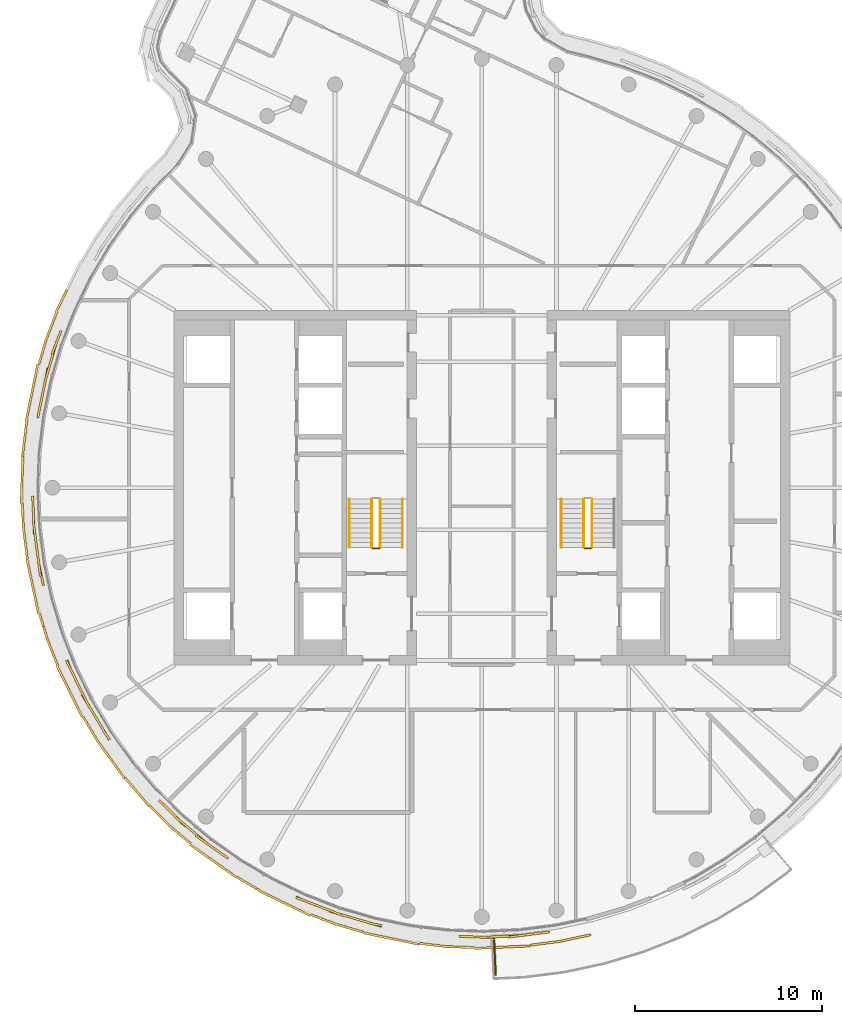
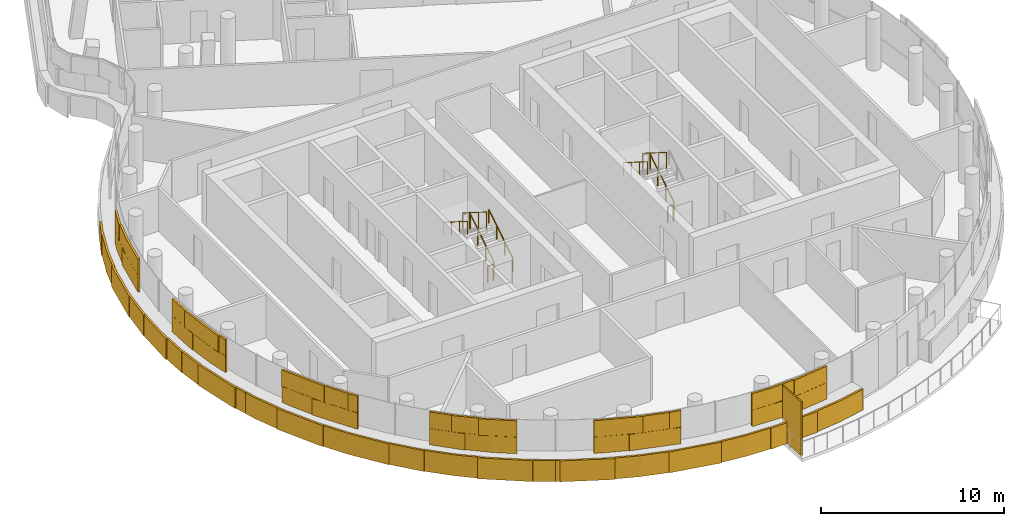
# One storey, part 17 of 21: 9 railings, 6 coverings, 1 shading device.
"""IFC4 building model written with IfcOpenShell, lengths in metres."""

import ifcopenshell
import ifcopenshell.guid

model = None  # the IFC model being written
_history = None  # IfcOwnerHistory: only IFC2X3 demands one
_inside = {}  # id of a spatial element -> (the spatial element, [elements in it])
_under = {}  # id of a project, library or spatial element -> (it, [spatial elements below it])
_declared = {}  # id of a project -> (the project, [libraries it declares])
_typed = {}  # id of a type object -> (the type object, [elements of that type])
_made_of = {}  # id of a material, layer set ... -> (it, [elements and type objects made of it])


def new_model(schema):
    """Start an empty IFC model of exactly this schema.

    Asked for "IFC4X3", IfcOpenShell would pick the latest addendum, in which some entities
    have other attributes; the version numbers below select the first issue.
    IFC2X3 requires an IfcOwnerHistory on every rooted entity: one is made here for all.
    """
    global model, _history
    if schema == "IFC4X3":
        model = ifcopenshell.file(schema_version=(4, 3, 0, 0))
    else:
        model = ifcopenshell.file(schema=schema)
    _inside.clear()
    _under.clear()
    _declared.clear()
    _typed.clear()
    _made_of.clear()
    _history = None
    if model.schema == "IFC2X3":
        org = make("IfcOrganization", Name="unknown")
        user = make(
            "IfcPersonAndOrganization",
            ThePerson=make("IfcPerson", FamilyName="unknown"),
            TheOrganization=org,
        )
        app = make(
            "IfcApplication",
            ApplicationDeveloper=org,
            Version="unknown",
            ApplicationFullName="unknown",
            ApplicationIdentifier="unknown",
        )
        _history = make(
            "IfcOwnerHistory",
            OwningUser=user,
            OwningApplication=app,
            ChangeAction="ADDED",
            CreationDate=0,
        )
    return model


def make(cls, **values):
    """One entity of the class cls with the attributes given. An attribute that is None is left unset."""
    return model.create_entity(
        cls, **{name: value for name, value in values.items() if value is not None}
    )


def rooted(cls, **values):
    """An entity with a GlobalId (a new one), such as an element, a storey or a relation."""
    return make(cls, GlobalId=ifcopenshell.guid.new(), OwnerHistory=_history, **values)


def si_unit(unit_type, name, prefix=None):
    """IfcSIUnit, for example si_unit("LENGTHUNIT", "METRE", prefix="MILLI")."""
    return make("IfcSIUnit", UnitType=unit_type, Prefix=prefix, Name=name)


def assignment(units):
    """IfcUnitAssignment: the units of a project."""
    return None if units is None else make("IfcUnitAssignment", Units=units)


def point(xyz):
    """IfcCartesianPoint."""
    return None if xyz is None else make("IfcCartesianPoint", Coordinates=xyz)


def direction(xyz):
    """IfcDirection."""
    return None if xyz is None else make("IfcDirection", DirectionRatios=xyz)


def frame(location, z_axis=None, x_axis=None):
    """IfcAxis2Placement3D, a coordinate frame: its origin and axes. An axis left out is left unset."""
    return make(
        "IfcAxis2Placement3D",
        Location=point(location),
        Axis=direction(z_axis),
        RefDirection=direction(x_axis),
    )


def frame_2d(location, x_axis=None):
    """IfcAxis2Placement2D, a coordinate frame in the plane: its origin and x axis."""
    return make(
        "IfcAxis2Placement2D", Location=point(location), RefDirection=direction(x_axis)
    )


def origin():
    """The frame at (0, 0, 0) with its axes left unset."""
    return frame((0.0, 0.0, 0.0))


def origin_2d():
    """The frame at (0, 0) in the plane with its x axis left unset."""
    return frame_2d((0.0, 0.0))


def place(relative_to, where):
    """IfcLocalPlacement: puts the frame where relative to a parent placement (None: the world)."""
    return make(
        "IfcLocalPlacement", PlacementRelTo=relative_to, RelativePlacement=where
    )


def context(
    kind, dimensions, precision=None, world=None, true_north=None, identifier=None
):
    """IfcGeometricRepresentationContext, for example the 3D "Model" context."""
    return make(
        "IfcGeometricRepresentationContext",
        ContextIdentifier=identifier,
        ContextType=kind,
        CoordinateSpaceDimension=dimensions,
        Precision=precision,
        WorldCoordinateSystem=world,
        TrueNorth=true_north,
    )


def subcontext(parent, identifier, kind, view, scale=None):
    """IfcGeometricRepresentationSubContext, for example "Body" below "Model"."""
    return make(
        "IfcGeometricRepresentationSubContext",
        ContextIdentifier=identifier,
        ContextType=kind,
        ParentContext=parent,
        TargetScale=scale,
        TargetView=view,
    )


def project(units=None, contexts=None):
    """IfcProject with its units and contexts."""
    return rooted(
        "IfcProject",
        Name="project",
        RepresentationContexts=contexts,
        UnitsInContext=assignment(units),
    )


def spatial(cls, under=None, at=None, **own):
    """A site, building, storey or space (cls), placed at a placement, below another one or the project."""
    s = rooted(cls, ObjectPlacement=at, **own)
    if under is not None:
        _under.setdefault(under.id(), (under, []))[1].append(s)
    return s


def profile(cls, at=None, kind="AREA", **sizes):
    """A parametric profile (cls). Its sizes go by their IFC names, for example OverallWidth=200.0."""
    return make(cls, ProfileType=kind, Position=at, **sizes)


def rectangle(**sizes):
    """IfcRectangleProfileDef."""
    return profile("IfcRectangleProfileDef", **sizes)


def circle(**sizes):
    """IfcCircleProfileDef."""
    return profile("IfcCircleProfileDef", **sizes)


def extrude(swept, where, along, depth):
    """IfcExtrudedAreaSolid: the profile swept, set in the frame where, extruded along a direction by depth."""
    return make(
        "IfcExtrudedAreaSolid",
        SweptArea=swept,
        Position=where,
        ExtrudedDirection=direction(along),
        Depth=depth,
    )


def shape(context_of_items, identifier, shape_type, items):
    """IfcShapeRepresentation: the items that make up one representation, for example the "Body"."""
    return make(
        "IfcShapeRepresentation",
        ContextOfItems=context_of_items,
        RepresentationIdentifier=identifier,
        RepresentationType=shape_type,
        Items=items,
    )


def material(Name=None, Category=None):
    """IfcMaterial."""
    return make("IfcMaterial", Name=Name, Category=Category)


def layer(
    of_material, thickness, ventilated=None, Name=None, Category=None, Priority=None
):
    """IfcMaterialLayer: one layer of a wall or slab, of a material (None: an air gap)."""
    return make(
        "IfcMaterialLayer",
        Material=of_material,
        LayerThickness=thickness,
        IsVentilated=ventilated,
        Name=Name,
        Category=Category,
        Priority=Priority,
    )


def layer_set(layers, Name=None):
    """IfcMaterialLayerSet."""
    return make("IfcMaterialLayerSet", MaterialLayers=layers, LayerSetName=Name)


def made_of(thing, what):
    """Note that an element or type object is made of a material, layer set ...; save() writes the relation."""
    if what is not None:
        _made_of.setdefault(what.id(), (what, []))[1].append(thing)
    return thing


def type_object(cls, material=None, **own):
    """A type object (cls), such as IfcWallType, which elements share."""
    return made_of(rooted(cls, **own), material)


def element(
    cls,
    number,
    at=None,
    inside=None,
    cuts=None,
    type_object=None,
    material=None,
    context=None,
    identifier="Body",
    shape_type=None,
    held_by="IfcProductDefinitionShape",
    body=None,
    shapes=None,
    **own,
):
    """One element of the class cls, such as IfcWall. Its Tag is "e" and its number.

    at: its placement. inside: the storey or other place that contains it. cuts: it is an
    opening in that element (IfcRelVoidsElement). A single representation is given by context,
    identifier, shape_type and body (its items); several are given by shapes. held_by: the class
    of the entity that holds the representations. save() writes the other relations.
    """
    e = rooted(cls, Tag="e%d" % number, ObjectPlacement=at, **own)
    if body is not None:
        shapes = [shape(context, identifier, shape_type, body)]
    if shapes is not None:
        e.Representation = make(held_by, Representations=shapes)
    if inside is not None:
        _inside.setdefault(inside.id(), (inside, []))[1].append(e)
    if cuts is not None:
        rooted(
            "IfcRelVoidsElement", RelatingBuildingElement=cuts, RelatedOpeningElement=e
        )
    if type_object is not None:
        _typed.setdefault(type_object.id(), (type_object, []))[1].append(e)
    return made_of(e, material)


def aggregate(whole, parts):
    """IfcRelAggregates: a whole, such as a stair, and the parts it consists of."""
    return rooted("IfcRelAggregates", RelatingObject=whole, RelatedObjects=parts)


def save(model, path):
    """Write the relations noted so far, then the file.

    IfcRelAggregates (storeys below a building ...), IfcRelContainedInSpatialStructure (elements
    in a storey), IfcRelDefinesByType, IfcRelAssociatesMaterial and IfcRelDeclares: one each for
    every whole, place, type object, material and project.
    """
    for whole, parts in _under.values():
        aggregate(whole, parts)
    for where, things in _inside.values():
        rooted(
            "IfcRelContainedInSpatialStructure",
            RelatedElements=things,
            RelatingStructure=where,
        )
    for kind, things in _typed.values():
        rooted("IfcRelDefinesByType", RelatedObjects=things, RelatingType=kind)
    for what, things in _made_of.values():
        rooted("IfcRelAssociatesMaterial", RelatedObjects=things, RelatingMaterial=what)
    for by, libraries in _declared.values():
        rooted("IfcRelDeclares", RelatingContext=by, RelatedDefinitions=libraries)
    model.write(path)


model = new_model("IFC4")

# Units and contexts
model_context = context("Model", 3, precision=1e-05, world=origin(), true_north=direction((0.0, 1.0)))
body_context = subcontext(model_context, "Body", "Model", "MODEL_VIEW")
ifc_project = project(units=[si_unit("LENGTHUNIT", "METRE"), si_unit("AREAUNIT", "SQUARE_METRE"), si_unit("VOLUMEUNIT", "CUBIC_METRE"), si_unit("PLANEANGLEUNIT", "RADIAN"), si_unit("MASSUNIT", "GRAM", prefix="KILO")], contexts=[model_context])

# Site, building, storey
site_placement = place(None, origin())
site = spatial("IfcSite", under=ifc_project, at=site_placement, CompositionType="ELEMENT")
building_placement = place(site_placement, origin())
building = spatial("IfcBuilding", under=site, at=building_placement, Name="Tamarind Cross Interchange Tower", CompositionType="ELEMENT")
storey_placement = place(building_placement, frame((0.0, 0.0, 267.60009765625)))
storey = spatial("IfcBuildingStorey", under=building, at=storey_placement, Name="L68", CompositionType="ELEMENT", Elevation=267.60009765625)

# Shading device
ifc_material_1 = material(Name="Bronze-finish aluminium louvre", Category="aluminium")
ifc_layer_1 = layer(ifc_material_1, 0.080078125)
ifc_layer_set_1 = layer_set([ifc_layer_1], Name="Bronze-finish aluminium louvre")
shading_device_type = type_object("IfcShadingDeviceType", Name="Operable louvre bay", PredefinedType="JALOUSIE", material=ifc_layer_set_1)
shading_device_placement = place(storey_placement, origin())
element("IfcShadingDevice", 1, at=shading_device_placement, inside=storey, type_object=shading_device_type, Name="LVR-L68-BAL01", PredefinedType="JALOUSIE", context=body_context, shape_type="SweptSolid", body=[
    extrude(rectangle(XDim=1.89990234375, YDim=0.080078125, at=origin_2d()), frame((0.69921875, -25.169677734375, -0.000244140625), z_axis=(0.0, 0.0, 1.0), x_axis=(0.045624486728, -0.998958660912, 0.0)), (0.0, 0.0, 1.0), 3.60009765625),
])

# Railings
ifc_material_2 = material(Name="Stair guard")
railing_type_1 = type_object("IfcRailingType", Name="Stair guard", PredefinedType="GUARDRAIL", material=ifc_material_2)
railing_1_placement = place(storey_placement, frame((-5.449951171875, -3.199951171875, 0.16357421875)))
element("IfcRailing", 2, at=railing_1_placement, inside=storey, type_object=railing_type_1, Name="L68 ST1 stair guard 1", PredefinedType="GUARDRAIL", context=body_context, shape_type="SweptSolid", body=[
    extrude(circle(Radius=0.02392578125, at=origin_2d()), frame((0.0, 0.0, 1.076171875), z_axis=(0.0, 0.846337672412, 0.532646734952), x_axis=(-1.0, 0.0, 0.0)), (0.0, 0.0, 1.0), 3.07177734375),
    extrude(circle(Radius=0.02099609375, at=origin_2d()), origin(), (0.0, 0.0, 1.0), 1.052001953125),
    extrude(circle(Radius=0.02099609375, at=origin_2d()), frame((0.0, 0.86669921875, 0.54541015625)), (0.0, 0.0, 1.0), 1.052001953125),
    extrude(circle(Radius=0.02099609375, at=origin_2d()), frame((0.0, 1.733154296875, 1.0908203125)), (0.0, 0.0, 1.0), 1.052001953125),
    extrude(circle(Radius=0.02099609375, at=origin_2d()), frame((0.0, 2.599853515625, 1.63623046875)), (0.0, 0.0, 1.0), 1.052001953125),
])
railing_2_placement = place(storey_placement, frame((-5.89990234375, -0.60009765625, 1.963623046875)))
element("IfcRailing", 3, at=railing_2_placement, inside=storey, type_object=railing_type_1, Name="L68 ST1 stair guard 3", PredefinedType="GUARDRAIL", context=body_context, shape_type="SweptSolid", body=[
    extrude(circle(Radius=0.02392578125, at=origin_2d()), frame((0.0, 0.0, 1.076171875), z_axis=(0.0, -0.846337672412, 0.532646734952), x_axis=(1.0, 0.0, 0.0)), (0.0, 0.0, 1.0), 3.07177734375),
    extrude(circle(Radius=0.02099609375, at=origin_2d()), origin(), (0.0, 0.0, 1.0), 1.052001953125),
    extrude(circle(Radius=0.02099609375, at=origin_2d()), frame((0.0, -0.86669921875, 0.54541015625)), (0.0, 0.0, 1.0), 1.052001953125),
    extrude(circle(Radius=0.02099609375, at=origin_2d()), frame((0.0, -1.733154296875, 1.0908203125)), (0.0, 0.0, 1.0), 1.052001953125),
    extrude(circle(Radius=0.02099609375, at=origin_2d()), frame((0.0, -2.599853515625, 1.63623046875)), (0.0, 0.0, 1.0), 1.052001953125),
])
railing_3_placement = place(storey_placement, frame((-5.5, -3.25, 0.0)))
element("IfcRailing", 4, at=railing_3_placement, inside=storey, type_object=railing_type_1, Name="L68 ST1 stair guard 4", PredefinedType="GUARDRAIL", context=body_context, shape_type="SweptSolid", body=[
    extrude(circle(Radius=0.02392578125, at=origin_2d()), frame((0.0, 0.0, 1.076171875), z_axis=(-1.0, 0.0, 0.0), x_axis=(0.0, -1.0, 0.0)), (0.0, 0.0, 1.0), 0.35009765625),
    extrude(circle(Radius=0.02099609375, at=origin_2d()), origin(), (0.0, 0.0, 1.0), 1.052001953125),
    extrude(circle(Radius=0.02099609375, at=origin_2d()), frame((-0.35009765625, 0.0, 0.0)), (0.0, 0.0, 1.0), 1.052001953125),
])
railing_4_placement = place(storey_placement, frame((5.89990234375, -3.199951171875, 0.16357421875)))
element("IfcRailing", 5, at=railing_4_placement, inside=storey, type_object=railing_type_1, Name="L68 ST2 stair guard 1", PredefinedType="GUARDRAIL", context=body_context, shape_type="SweptSolid", body=[
    extrude(circle(Radius=0.02392578125, at=origin_2d()), frame((0.0, 0.0, 1.076171875), z_axis=(0.0, 0.846337672412, 0.532646734952), x_axis=(-1.0, 0.0, 0.0)), (0.0, 0.0, 1.0), 3.07177734375),
    extrude(circle(Radius=0.02099609375, at=origin_2d()), origin(), (0.0, 0.0, 1.0), 1.052001953125),
    extrude(circle(Radius=0.02099609375, at=origin_2d()), frame((0.0, 0.86669921875, 0.54541015625)), (0.0, 0.0, 1.0), 1.052001953125),
    extrude(circle(Radius=0.02099609375, at=origin_2d()), frame((0.0, 1.733154296875, 1.0908203125)), (0.0, 0.0, 1.0), 1.052001953125),
    extrude(circle(Radius=0.02099609375, at=origin_2d()), frame((0.0, 2.599853515625, 1.63623046875)), (0.0, 0.0, 1.0), 1.052001953125),
])
railing_5_placement = place(storey_placement, frame((5.449951171875, -0.60009765625, 1.963623046875)))
element("IfcRailing", 6, at=railing_5_placement, inside=storey, type_object=railing_type_1, Name="L68 ST2 stair guard 3", PredefinedType="GUARDRAIL", context=body_context, shape_type="SweptSolid", body=[
    extrude(circle(Radius=0.02392578125, at=origin_2d()), frame((0.0, 0.0, 1.076171875), z_axis=(0.0, -0.846337672412, 0.532646734952), x_axis=(1.0, 0.0, 0.0)), (0.0, 0.0, 1.0), 3.07177734375),
    extrude(circle(Radius=0.02099609375, at=origin_2d()), origin(), (0.0, 0.0, 1.0), 1.052001953125),
    extrude(circle(Radius=0.02099609375, at=origin_2d()), frame((0.0, -0.86669921875, 0.54541015625)), (0.0, 0.0, 1.0), 1.052001953125),
    extrude(circle(Radius=0.02099609375, at=origin_2d()), frame((0.0, -1.733154296875, 1.0908203125)), (0.0, 0.0, 1.0), 1.052001953125),
    extrude(circle(Radius=0.02099609375, at=origin_2d()), frame((0.0, -2.599853515625, 1.63623046875)), (0.0, 0.0, 1.0), 1.052001953125),
])
railing_6_placement = place(storey_placement, frame((5.85009765625, -3.25, 0.0)))
element("IfcRailing", 7, at=railing_6_placement, inside=storey, type_object=railing_type_1, Name="L68 ST2 stair guard 4", PredefinedType="GUARDRAIL", context=body_context, shape_type="SweptSolid", body=[
    extrude(circle(Radius=0.02392578125, at=origin_2d()), frame((0.0, 0.0, 1.076171875), z_axis=(-1.0, 0.0, 0.0), x_axis=(0.0, -1.0, 0.0)), (0.0, 0.0, 1.0), 0.35009765625),
    extrude(circle(Radius=0.02099609375, at=origin_2d()), origin(), (0.0, 0.0, 1.0), 1.052001953125),
    extrude(circle(Radius=0.02099609375, at=origin_2d()), frame((-0.35009765625, 0.0, 0.0)), (0.0, 0.0, 1.0), 1.052001953125),
])
ifc_material_3 = material(Name="Stair handrail")
railing_type_2 = type_object("IfcRailingType", Name="Stair handrail", PredefinedType="HANDRAIL", material=ifc_material_3)
railing_7_placement = place(storey_placement, frame((-4.25, -3.199951171875, 0.16357421875)))
element("IfcRailing", 8, at=railing_7_placement, inside=storey, type_object=railing_type_2, Name="L68 ST1 stair handrail 1", PredefinedType="HANDRAIL", context=body_context, shape_type="SweptSolid", body=[
    extrude(circle(Radius=0.02392578125, at=origin_2d()), frame((0.0, 0.0, 0.8759765625), z_axis=(0.0, 0.846337672412, 0.532646734952), x_axis=(-1.0, 0.0, 0.0)), (0.0, 0.0, 1.0), 3.07177734375),
    extrude(circle(Radius=0.02099609375, at=origin_2d()), origin(), (0.0, 0.0, 1.0), 0.851806640625),
    extrude(circle(Radius=0.02099609375, at=origin_2d()), frame((0.0, 0.86669921875, 0.54541015625)), (0.0, 0.0, 1.0), 0.851806640625),
    extrude(circle(Radius=0.02099609375, at=origin_2d()), frame((0.0, 1.733154296875, 1.0908203125)), (0.0, 0.0, 1.0), 0.851806640625),
    extrude(circle(Radius=0.02099609375, at=origin_2d()), frame((0.0, 2.599853515625, 1.63623046875)), (0.0, 0.0, 1.0), 0.851806640625),
])
for number, where, name in (
    (9, (-7.10009765625, -0.60009765625, 1.963623046875), "L68 ST1 stair handrail 2"),
    (10, (4.25, -0.60009765625, 1.963623046875), "L68 ST2 stair handrail 2"),
):
    element("IfcRailing", number, at=place(storey_placement, frame(where)), inside=storey, type_object=railing_type_2, Name=name, PredefinedType="HANDRAIL", context=body_context, shape_type="SweptSolid", body=[
        extrude(circle(Radius=0.02392578125, at=origin_2d()), frame((0.0, 0.0, 0.8759765625), z_axis=(0.0, -0.846337672412, 0.532646734952), x_axis=(1.0, 0.0, 0.0)), (0.0, 0.0, 1.0), 3.07177734375),
        extrude(circle(Radius=0.02099609375, at=origin_2d()), origin(), (0.0, 0.0, 1.0), 0.851806640625),
        extrude(circle(Radius=0.02099609375, at=origin_2d()), frame((0.0, -0.86669921875, 0.54541015625)), (0.0, 0.0, 1.0), 0.851806640625),
        extrude(circle(Radius=0.02099609375, at=origin_2d()), frame((0.0, -1.733154296875, 1.0908203125)), (0.0, 0.0, 1.0), 0.851806640625),
        extrude(circle(Radius=0.02099609375, at=origin_2d()), frame((0.0, -2.599853515625, 1.63623046875)), (0.0, 0.0, 1.0), 0.851806640625),
    ])

# Coverings
ifc_material_4 = material(Name="Terracotta", Category="masonry")
ifc_layer_2 = layer(ifc_material_4, 0.1201171875)
ifc_layer_set_2 = layer_set([ifc_layer_2], Name="Terracotta")
covering_type = type_object("IfcCoveringType", Name="Terracotta baguette screen unit", PredefinedType="MOLDING", material=ifc_layer_set_2)
covering_1_placement = place(storey_placement, origin())
element("IfcCovering", 11, at=covering_1_placement, inside=storey, type_object=covering_type, Name="SCR-L68-01-02", PredefinedType="MOLDING", context=body_context, shape_type="SweptSolid", body=[
    extrude(rectangle(XDim=0.623291015625, YDim=0.1201171875, at=origin_2d()), frame((-22.657470703125, 8.130126953125, 1.40380859375), z_axis=(0.0, 0.0, 1.0), x_axis=(-0.359495435512, -0.933146843667, 0.0)), (0.0, 0.0, 1.0), 1.092041015625),
    extrude(rectangle(XDim=1.52001953125, YDim=0.1201171875, at=origin_2d()), frame((-22.98876953125, 7.127685546875, 1.40380859375), z_axis=(0.0, 0.0, 1.0), x_axis=(-0.281208920763, -0.95964657186, 0.0)), (0.0, 0.0, 1.0), 1.092041015625),
    extrude(rectangle(XDim=1.52001953125, YDim=0.1201171875, at=origin_2d()), frame((-23.400146484375, 5.685791015625, 1.40380859375), z_axis=(0.0, 0.0, 1.0), x_axis=(-0.201001463943, -0.9795909409, 0.0)), (0.0, 0.0, 1.0), 1.092041015625),
    extrude(rectangle(XDim=1.2392578125, YDim=0.1201171875, at=origin_2d()), frame((-23.674560546875, 4.348876953125, 1.40380859375), z_axis=(0.0, 0.0, 1.0), x_axis=(-0.201001463943, -0.9795909409, 0.0)), (0.0, 0.0, 1.0), 1.092041015625),
    extrude(rectangle(XDim=1.373291015625, YDim=0.1201171875, at=origin_2d()), frame((-22.792236328125, 7.7802734375, 2.50390625), z_axis=(0.0, 0.0, 1.0), x_axis=(-0.359495435512, -0.933146843667, 0.0)), (0.0, 0.0, 1.0), 1.092041015625),
    extrude(rectangle(XDim=1.52001953125, YDim=0.1201171875, at=origin_2d()), frame((-23.19970703125, 6.407958984375, 2.50390625), z_axis=(0.0, 0.0, 1.0), x_axis=(-0.281208920763, -0.95964657186, 0.0)), (0.0, 0.0, 1.0), 1.092041015625),
    extrude(rectangle(XDim=1.52001953125, YDim=0.1201171875, at=origin_2d()), frame((-23.551025390625, 4.950927734375, 2.50390625), z_axis=(0.0, 0.0, 1.0), x_axis=(-0.201001463943, -0.9795909409, 0.0)), (0.0, 0.0, 1.0), 1.092041015625),
    extrude(rectangle(XDim=0.4892578125, YDim=0.1201171875, at=origin_2d()), frame((-23.749755859375, 3.9814453125, 2.50390625), z_axis=(0.0, 0.0, 1.0), x_axis=(-0.201001463943, -0.9795909409, 0.0)), (0.0, 0.0, 1.0), 1.092041015625),
    extrude(rectangle(XDim=1.294921875, YDim=0.1201171875, at=origin_2d()), frame((-22.527587890625, 10.011962890625, 0.00390625), z_axis=(0.0, 0.0, 1.0), x_axis=(-0.435326231914, -0.900272776334, 0.0)), (0.0, 0.0, 1.0), 1.39208984375),
    extrude(rectangle(XDim=1.52001953125, YDim=0.1201171875, at=origin_2d()), frame((-23.04345703125, 8.724609375, 0.00390625), z_axis=(0.0, 0.0, 1.0), x_axis=(-0.359495435512, -0.933146843667, 0.0)), (0.0, 0.0, 1.0), 1.39208984375),
    extrude(rectangle(XDim=1.52001953125, YDim=0.1201171875, at=origin_2d()), frame((-23.533935546875, 7.308349609375, 0.00390625), z_axis=(0.0, 0.0, 1.0), x_axis=(-0.281208920763, -0.95964657186, 0.0)), (0.0, 0.0, 1.0), 1.39208984375),
    extrude(rectangle(XDim=1.52001953125, YDim=0.1201171875, at=origin_2d()), frame((-23.948974609375, 5.8671875, 0.00390625), z_axis=(0.0, 0.0, 1.0), x_axis=(-0.201001463943, -0.9795909409, 0.0)), (0.0, 0.0, 1.0), 1.39208984375),
    extrude(rectangle(XDim=1.52001953125, YDim=0.1201171875, at=origin_2d()), frame((-24.25048828125, 4.39794921875, 0.00390625), z_axis=(0.0, 0.0, 1.0), x_axis=(-0.201001463943, -0.9795909409, 0.0)), (0.0, 0.0, 1.0), 1.39208984375),
    extrude(rectangle(XDim=1.52001953125, YDim=0.1201171875, at=origin_2d()), frame((-24.466552734375, 2.91455078125, 0.00390625), z_axis=(0.0, 0.0, 1.0), x_axis=(-0.119420963295, -0.992843710523, 0.0)), (0.0, 0.0, 1.0), 1.39208984375),
    extrude(rectangle(XDim=0.4833984375, YDim=0.1201171875, at=origin_2d()), frame((-24.583740234375, 1.93994140625, 0.00390625), z_axis=(0.0, 0.0, 1.0), x_axis=(-0.119420963295, -0.992843710523, 0.0)), (0.0, 0.0, 1.0), 1.39208984375),
])
covering_2_placement = place(storey_placement, origin())
element("IfcCovering", 12, at=covering_2_placement, inside=storey, type_object=covering_type, Name="SCR-L68-01-03", PredefinedType="MOLDING", context=body_context, shape_type="SweptSolid", body=[
    extrude(rectangle(XDim=0.580810546875, YDim=0.1201171875, at=origin_2d()), frame((-24.057373046875, -0.724609375, 1.40380859375), z_axis=(0.0, 0.0, 1.0), x_axis=(0.045624486728, -0.998958660912, 0.0)), (0.0, 0.0, 1.0), 1.092041015625),
    extrude(rectangle(XDim=1.52001953125, YDim=0.1201171875, at=origin_2d()), frame((-24.01025390625, -1.759033203125, 1.40380859375), z_axis=(0.0, 0.0, 1.0), x_axis=(0.045624486728, -0.998958660912, 0.0)), (0.0, 0.0, 1.0), 1.092041015625),
    extrude(rectangle(XDim=1.52001953125, YDim=0.1201171875, at=origin_2d()), frame((-23.845703125, -3.2490234375, 1.40380859375), z_axis=(0.0, 0.0, 1.0), x_axis=(0.127962008342, -0.991779070368, 0.0)), (0.0, 0.0, 1.0), 1.092041015625),
    extrude(rectangle(XDim=1.28271484375, YDim=0.1201171875, at=origin_2d()), frame((-23.62255859375, -4.6162109375, 1.40380859375), z_axis=(0.0, 0.0, 1.0), x_axis=(0.209425419705, -0.977824623121, 0.0)), (0.0, 0.0, 1.0), 1.092041015625),
    extrude(rectangle(XDim=1.330810546875, YDim=0.1201171875, at=origin_2d()), frame((-24.040283203125, -1.099365234375, 2.50390625), z_axis=(0.0, 0.0, 1.0), x_axis=(0.045624486728, -0.998958660912, 0.0)), (0.0, 0.0, 1.0), 1.092041015625),
    extrude(rectangle(XDim=1.52001953125, YDim=0.1201171875, at=origin_2d()), frame((-23.941650390625, -2.505126953125, 2.50390625), z_axis=(0.0, 0.0, 1.0), x_axis=(0.127962008342, -0.991779070368, 0.0)), (0.0, 0.0, 1.0), 1.092041015625),
    extrude(rectangle(XDim=1.52001953125, YDim=0.1201171875, at=origin_2d()), frame((-23.749755859375, -3.992919921875, 2.50390625), z_axis=(0.0, 0.0, 1.0), x_axis=(0.127962008342, -0.991779070368, 0.0)), (0.0, 0.0, 1.0), 1.092041015625),
    extrude(rectangle(XDim=0.53271484375, YDim=0.1201171875, at=origin_2d()), frame((-23.5439453125, -4.98291015625, 2.50390625), z_axis=(0.0, 0.0, 1.0), x_axis=(0.209425419705, -0.977824623121, 0.0)), (0.0, 0.0, 1.0), 1.092041015625),
    extrude(rectangle(XDim=1.03662109375, YDim=0.1201171875, at=origin_2d()), frame((-24.612548828125, 1.180419921875, 0.00390625), z_axis=(0.0, 0.0, 1.0), x_axis=(-0.037024696392, -0.999314350871, 0.0)), (0.0, 0.0, 1.0), 1.39208984375),
    extrude(rectangle(XDim=1.52001953125, YDim=0.1201171875, at=origin_2d()), frame((-24.6591796875, -0.076904296875, 0.00390625), z_axis=(0.0, 0.0, 1.0), x_axis=(-0.037024696392, -0.999314350871, 0.0)), (0.0, 0.0, 1.0), 1.39208984375),
    extrude(rectangle(XDim=1.52001953125, YDim=0.1201171875, at=origin_2d()), frame((-24.59326171875, -1.575439453125, 0.00390625), z_axis=(0.0, 0.0, 1.0), x_axis=(0.045624486728, -0.998958660912, 0.0)), (0.0, 0.0, 1.0), 1.39208984375),
    extrude(rectangle(XDim=1.52001953125, YDim=0.1201171875, at=origin_2d()), frame((-24.447998046875, -3.067138671875, 0.00390625), z_axis=(0.0, 0.0, 1.0), x_axis=(0.127962008342, -0.991779070368, 0.0)), (0.0, 0.0, 1.0), 1.39208984375),
    extrude(rectangle(XDim=1.52001953125, YDim=0.1201171875, at=origin_2d()), frame((-24.223876953125, -4.54931640625, 0.00390625), z_axis=(0.0, 0.0, 1.0), x_axis=(0.209425419705, -0.977824623121, 0.0)), (0.0, 0.0, 1.0), 1.39208984375),
    extrude(rectangle(XDim=1.52001953125, YDim=0.1201171875, at=origin_2d()), frame((-23.90966796875, -6.01611328125, 0.00390625), z_axis=(0.0, 0.0, 1.0), x_axis=(0.209425419705, -0.977824623121, 0.0)), (0.0, 0.0, 1.0), 1.39208984375),
    extrude(rectangle(XDim=0.742431640625, YDim=0.1201171875, at=origin_2d()), frame((-23.599609375, -7.082763671875, 0.00390625), z_axis=(0.0, 0.0, 1.0), x_axis=(0.289458243079, -0.957190642199, 0.0)), (0.0, 0.0, 1.0), 1.39208984375),
])
covering_3_placement = place(storey_placement, origin())
element("IfcCovering", 13, at=covering_3_placement, inside=storey, type_object=covering_type, Name="SCR-L68-01-04", PredefinedType="MOLDING", context=body_context, shape_type="SweptSolid", body=[
    extrude(rectangle(XDim=0.537353515625, YDim=0.1201171875, at=origin_2d()), frame((-22.12939453125, -9.481689453125, 1.40380859375), z_axis=(0.0, 0.0, 1.0), x_axis=(0.367513773146, -0.930018078613, 0.0)), (0.0, 0.0, 1.0), 1.092041015625),
    extrude(rectangle(XDim=1.52001953125, YDim=0.1201171875, at=origin_2d()), frame((-21.703857421875, -10.40087890625, 1.40380859375), z_axis=(0.0, 0.0, 1.0), x_axis=(0.443058811505, -0.896492548518, 0.0)), (0.0, 0.0, 1.0), 1.092041015625),
    extrude(rectangle(XDim=1.52001953125, YDim=0.1201171875, at=origin_2d()), frame((-21.023681640625, -11.737060546875, 1.40380859375), z_axis=(0.0, 0.0, 1.0), x_axis=(0.515577308909, -0.856843065292, 0.0)), (0.0, 0.0, 1.0), 1.092041015625),
    extrude(rectangle(XDim=1.3251953125, YDim=0.1201171875, at=origin_2d()), frame((-20.298095703125, -12.943115234375, 1.40380859375), z_axis=(0.0, 0.0, 1.0), x_axis=(0.515577308909, -0.856843065292, 0.0)), (0.0, 0.0, 1.0), 1.092041015625),
    extrude(rectangle(XDim=1.287353515625, YDim=0.1201171875, at=origin_2d()), frame((-21.98681640625, -9.828125, 2.50390625), z_axis=(0.0, 0.0, 1.0), x_axis=(0.443058811505, -0.896492548518, 0.0)), (0.0, 0.0, 1.0), 1.092041015625),
    extrude(rectangle(XDim=1.52001953125, YDim=0.1201171875, at=origin_2d()), frame((-21.37158203125, -11.0732421875, 2.50390625), z_axis=(0.0, 0.0, 1.0), x_axis=(0.443058811505, -0.896492548518, 0.0)), (0.0, 0.0, 1.0), 1.092041015625),
    extrude(rectangle(XDim=1.52001953125, YDim=0.1201171875, at=origin_2d()), frame((-20.63720703125, -12.379638671875, 2.50390625), z_axis=(0.0, 0.0, 1.0), x_axis=(0.515577308909, -0.856843065292, 0.0)), (0.0, 0.0, 1.0), 1.092041015625),
    extrude(rectangle(XDim=0.5751953125, YDim=0.1201171875, at=origin_2d()), frame((-20.1044921875, -13.264404296875, 2.50390625), z_axis=(0.0, 0.0, 1.0), x_axis=(0.584573890505, -0.811340475102, 0.0)), (0.0, 0.0, 1.0), 1.092041015625),
    extrude(rectangle(XDim=0.777587890625, YDim=0.1201171875, at=origin_2d()), frame((-23.379638671875, -7.81005859375, 0.00390625), z_axis=(0.0, 0.0, 1.0), x_axis=(0.289458243079, -0.957190642199, 0.0)), (0.0, 0.0, 1.0), 1.39208984375),
    extrude(rectangle(XDim=1.52001953125, YDim=0.1201171875, at=origin_2d()), frame((-22.989013671875, -8.868408203125, 0.00390625), z_axis=(0.0, 0.0, 1.0), x_axis=(0.367513773146, -0.930018078613, 0.0)), (0.0, 0.0, 1.0), 1.39208984375),
    extrude(rectangle(XDim=1.52001953125, YDim=0.1201171875, at=origin_2d()), frame((-22.41650390625, -10.25390625, 0.00390625), z_axis=(0.0, 0.0, 1.0), x_axis=(0.443058811505, -0.896492548518, 0.0)), (0.0, 0.0, 1.0), 1.39208984375),
    extrude(rectangle(XDim=1.52001953125, YDim=0.1201171875, at=origin_2d()), frame((-21.751953125, -11.5986328125, 0.00390625), z_axis=(0.0, 0.0, 1.0), x_axis=(0.443058811505, -0.896492548518, 0.0)), (0.0, 0.0, 1.0), 1.39208984375),
    extrude(rectangle(XDim=1.52001953125, YDim=0.1201171875, at=origin_2d()), frame((-20.997314453125, -12.894287109375, 0.00390625), z_axis=(0.0, 0.0, 1.0), x_axis=(0.515577308909, -0.856843065292, 0.0)), (0.0, 0.0, 1.0), 1.39208984375),
    extrude(rectangle(XDim=1.52001953125, YDim=0.1201171875, at=origin_2d()), frame((-20.175537109375, -14.1474609375, 0.00390625), z_axis=(0.0, 0.0, 1.0), x_axis=(0.584573890505, -0.811340475102, 0.0)), (0.0, 0.0, 1.0), 1.39208984375),
    extrude(rectangle(XDim=1.000732421875, YDim=0.1201171875, at=origin_2d()), frame((-19.450439453125, -15.15380859375, 0.00390625), z_axis=(0.0, 0.0, 1.0), x_axis=(0.584573890505, -0.811340475102, 0.0)), (0.0, 0.0, 1.0), 1.39208984375),
])
covering_4_placement = place(storey_placement, origin())
element("IfcCovering", 14, at=covering_4_placement, inside=storey, type_object=covering_type, Name="SCR-L68-01-05", PredefinedType="MOLDING", context=body_context, shape_type="SweptSolid", body=[
    extrude(rectangle(XDim=0.494873046875, YDim=0.1201171875, at=origin_2d()), frame((-17.118896484375, -16.916015625, 1.40380859375), z_axis=(0.0, 0.0, 1.0), x_axis=(0.710143317658, -0.704057148523, 0.0)), (0.0, 0.0, 1.0), 1.092041015625),
    extrude(rectangle(XDim=1.52001953125, YDim=0.1201171875, at=origin_2d()), frame((-16.4140625, -17.61474609375, 1.40380859375), z_axis=(0.0, 0.0, 1.0), x_axis=(0.710143317658, -0.704057148523, 0.0)), (0.0, 0.0, 1.0), 1.092041015625),
    extrude(rectangle(XDim=1.52001953125, YDim=0.1201171875, at=origin_2d()), frame((-15.279296875, -18.594482421875, 1.40380859375), z_axis=(0.0, 0.0, 1.0), x_axis=(0.765858396687, -0.643009266048, 0.0)), (0.0, 0.0, 1.0), 1.092041015625),
    extrude(rectangle(XDim=1.36865234375, YDim=0.1201171875, at=origin_2d()), frame((-14.14990234375, -19.468505859375, 1.40380859375), z_axis=(0.0, 0.0, 1.0), x_axis=(0.816341886298, -0.577568978284, 0.0)), (0.0, 0.0, 1.0), 1.092041015625),
    extrude(rectangle(XDim=1.244873046875, YDim=0.1201171875, at=origin_2d()), frame((-16.8525390625, -17.179931640625, 2.50390625), z_axis=(0.0, 0.0, 1.0), x_axis=(0.710143317658, -0.704057148523, 0.0)), (0.0, 0.0, 1.0), 1.092041015625),
    extrude(rectangle(XDim=1.52001953125, YDim=0.1201171875, at=origin_2d()), frame((-15.853759765625, -18.1123046875, 2.50390625), z_axis=(0.0, 0.0, 1.0), x_axis=(0.765858396687, -0.643009266048, 0.0)), (0.0, 0.0, 1.0), 1.092041015625),
    extrude(rectangle(XDim=1.52001953125, YDim=0.1201171875, at=origin_2d()), frame((-14.704345703125, -19.076171875, 2.50390625), z_axis=(0.0, 0.0, 1.0), x_axis=(0.816341886298, -0.577568978284, 0.0)), (0.0, 0.0, 1.0), 1.092041015625),
    extrude(rectangle(XDim=0.61865234375, YDim=0.1201171875, at=origin_2d()), frame((-13.84375, -19.68505859375, 2.50390625), z_axis=(0.0, 0.0, 1.0), x_axis=(0.816341886298, -0.577568978284, 0.0)), (0.0, 0.0, 1.0), 1.092041015625),
    extrude(rectangle(XDim=0.519287109375, YDim=0.1201171875, at=origin_2d()), frame((-18.962890625, -15.736572265625, 0.00390625), z_axis=(0.0, 0.0, 1.0), x_axis=(0.64957723968, -0.760295606781, 0.0)), (0.0, 0.0, 1.0), 1.39208984375),
    extrude(rectangle(XDim=1.52001953125, YDim=0.1201171875, at=origin_2d()), frame((-18.3134765625, -16.49658203125, 0.00390625), z_axis=(0.0, 0.0, 1.0), x_axis=(0.64957723968, -0.760295606781, 0.0)), (0.0, 0.0, 1.0), 1.39208984375),
    extrude(rectangle(XDim=1.52001953125, YDim=0.1201171875, at=origin_2d()), frame((-17.27099609375, -17.573486328125, 0.00390625), z_axis=(0.0, 0.0, 1.0), x_axis=(0.710143317658, -0.704057148523, 0.0)), (0.0, 0.0, 1.0), 1.39208984375),
    extrude(rectangle(XDim=1.52001953125, YDim=0.1201171875, at=origin_2d()), frame((-16.1728515625, -18.59375, 0.00390625), z_axis=(0.0, 0.0, 1.0), x_axis=(0.765858396687, -0.643009266048, 0.0)), (0.0, 0.0, 1.0), 1.39208984375),
    extrude(rectangle(XDim=1.52001953125, YDim=0.1201171875, at=origin_2d()), frame((-15.021484375, -19.554931640625, 0.00390625), z_axis=(0.0, 0.0, 1.0), x_axis=(0.816341886298, -0.577568978284, 0.0)), (0.0, 0.0, 1.0), 1.39208984375),
    extrude(rectangle(XDim=1.52001953125, YDim=0.1201171875, at=origin_2d()), frame((-13.797119140625, -20.421142578125, 0.00390625), z_axis=(0.0, 0.0, 1.0), x_axis=(0.816341886298, -0.577568978284, 0.0)), (0.0, 0.0, 1.0), 1.39208984375),
    extrude(rectangle(XDim=1.260009765625, YDim=0.1201171875, at=origin_2d()), frame((-12.638916015625, -21.1513671875, 0.00390625), z_axis=(0.0, 0.0, 1.0), x_axis=(0.861248933065, -0.508183308752, 0.0)), (0.0, 0.0, 1.0), 1.39208984375),
])
covering_5_placement = place(storey_placement, origin())
element("IfcCovering", 15, at=covering_5_placement, inside=storey, type_object=covering_type, Name="SCR-L68-01-06", PredefinedType="MOLDING", context=body_context, shape_type="SweptSolid", body=[
    extrude(rectangle(XDim=0.451416015625, YDim=0.1201171875, at=origin_2d()), frame((-9.745361328125, -22.018798828125, 1.40380859375), z_axis=(0.0, 0.0, 1.0), x_axis=(0.900272776334, -0.435326231914, 0.0)), (0.0, 0.0, 1.0), 1.092041015625),
    extrude(rectangle(XDim=1.52001953125, YDim=0.1201171875, at=origin_2d()), frame((-8.845703125, -22.3818359375, 1.40380859375), z_axis=(0.0, 0.0, 1.0), x_axis=(0.933146843667, -0.359495435512, 0.0)), (0.0, 0.0, 1.0), 1.092041015625),
    extrude(rectangle(XDim=1.52001953125, YDim=0.1201171875, at=origin_2d()), frame((-7.438232421875, -22.897705078125, 1.40380859375), z_axis=(0.0, 0.0, 1.0), x_axis=(0.95964657186, -0.281208920763, 0.0)), (0.0, 0.0, 1.0), 1.092041015625),
    extrude(rectangle(XDim=1.4111328125, YDim=0.1201171875, at=origin_2d()), frame((-6.046142578125, -23.3056640625, 1.40380859375), z_axis=(0.0, 0.0, 1.0), x_axis=(0.95964657186, -0.281208920763, 0.0)), (0.0, 0.0, 1.0), 1.092041015625),
    extrude(rectangle(XDim=1.201416015625, YDim=0.1201171875, at=origin_2d()), frame((-9.401611328125, -22.167724609375, 2.50390625), z_axis=(0.0, 0.0, 1.0), x_axis=(0.933146843667, -0.359495435512, 0.0)), (0.0, 0.0, 1.0), 1.092041015625),
    extrude(rectangle(XDim=1.52001953125, YDim=0.1201171875, at=origin_2d()), frame((-8.145751953125, -22.6513671875, 2.50390625), z_axis=(0.0, 0.0, 1.0), x_axis=(0.933146843667, -0.359495435512, 0.0)), (0.0, 0.0, 1.0), 1.092041015625),
    extrude(rectangle(XDim=1.52001953125, YDim=0.1201171875, at=origin_2d()), frame((-6.718505859375, -23.108642578125, 2.50390625), z_axis=(0.0, 0.0, 1.0), x_axis=(0.95964657186, -0.281208920763, 0.0)), (0.0, 0.0, 1.0), 1.092041015625),
    extrude(rectangle(XDim=0.6611328125, YDim=0.1201171875, at=origin_2d()), frame((-5.68359375, -23.400634765625, 2.50390625), z_axis=(0.0, 0.0, 1.0), x_axis=(0.9795909409, -0.201001463943, 0.0)), (0.0, 0.0, 1.0), 1.092041015625),
    extrude(rectangle(XDim=0.260009765625, YDim=0.1201171875, at=origin_2d()), frame((-11.984375, -21.53759765625, 0.00390625), z_axis=(0.0, 0.0, 1.0), x_axis=(0.861248933065, -0.508183308752, 0.0)), (0.0, 0.0, 1.0), 1.39208984375),
    extrude(rectangle(XDim=1.52001953125, YDim=0.1201171875, at=origin_2d()), frame((-11.216552734375, -21.945068359375, 0.00390625), z_axis=(0.0, 0.0, 1.0), x_axis=(0.900272776334, -0.435326231914, 0.0)), (0.0, 0.0, 1.0), 1.39208984375),
    extrude(rectangle(XDim=1.52001953125, YDim=0.1201171875, at=origin_2d()), frame((-9.8662109375, -22.59814453125, 0.00390625), z_axis=(0.0, 0.0, 1.0), x_axis=(0.900272776334, -0.435326231914, 0.0)), (0.0, 0.0, 1.0), 1.39208984375),
    extrude(rectangle(XDim=1.52001953125, YDim=0.1201171875, at=origin_2d()), frame((-8.468505859375, -23.14208984375, 0.00390625), z_axis=(0.0, 0.0, 1.0), x_axis=(0.933146843667, -0.359495435512, 0.0)), (0.0, 0.0, 1.0), 1.39208984375),
    extrude(rectangle(XDim=1.52001953125, YDim=0.1201171875, at=origin_2d()), frame((-7.045166015625, -23.611083984375, 0.00390625), z_axis=(0.0, 0.0, 1.0), x_axis=(0.95964657186, -0.281208920763, 0.0)), (0.0, 0.0, 1.0), 1.39208984375),
    extrude(rectangle(XDim=1.52001953125, YDim=0.1201171875, at=origin_2d()), frame((-5.598388671875, -24.004150390625, 0.00390625), z_axis=(0.0, 0.0, 1.0), x_axis=(0.9795909409, -0.201001463943, 0.0)), (0.0, 0.0, 1.0), 1.39208984375),
    extrude(rectangle(XDim=1.52001953125, YDim=0.1201171875, at=origin_2d()), frame((-4.129150390625, -24.3056640625, 0.00390625), z_axis=(0.0, 0.0, 1.0), x_axis=(0.9795909409, -0.201001463943, 0.0)), (0.0, 0.0, 1.0), 1.39208984375),
])
covering_6_placement = place(storey_placement, origin())
element("IfcCovering", 16, at=covering_6_placement, inside=storey, type_object=covering_type, Name="SCR-L68-01-07", PredefinedType="MOLDING", context=body_context, shape_type="SweptSolid", body=[
    extrude(rectangle(XDim=0.408935546875, YDim=0.1201171875, at=origin_2d()), frame((-1.011474609375, -24.04443359375, 1.40380859375), z_axis=(0.0, 0.0, 1.0), x_axis=(0.999314350871, -0.037024696392, 0.0)), (0.0, 0.0, 1.0), 1.092041015625),
    extrude(rectangle(XDim=1.52001953125, YDim=0.1201171875, at=origin_2d()), frame((-0.062744140625, -24.07958984375, 1.40380859375), z_axis=(0.0, 0.0, 1.0), x_axis=(0.999314350871, -0.037024696392, 0.0)), (0.0, 0.0, 1.0), 1.092041015625),
    extrude(rectangle(XDim=1.52001953125, YDim=0.1201171875, at=origin_2d()), frame((1.435791015625, -24.02490234375, 1.40380859375), z_axis=(0.0, 0.0, 1.0), x_axis=(0.998958660912, 0.045624486728, 0.0)), (0.0, 0.0, 1.0), 1.092041015625),
    extrude(rectangle(XDim=1.45458984375, YDim=0.1201171875, at=origin_2d()), frame((2.900634765625, -23.890625, 1.40380859375), z_axis=(0.0, 0.0, 1.0), x_axis=(0.991779070368, 0.127962008342, 0.0)), (0.0, 0.0, 1.0), 1.092041015625),
    extrude(rectangle(XDim=1.158935546875, YDim=0.1201171875, at=origin_2d()), frame((-0.63671875, -24.058349609375, 2.50390625), z_axis=(0.0, 0.0, 1.0), x_axis=(0.999314350871, -0.037024696392, 0.0)), (0.0, 0.0, 1.0), 1.092041015625),
    extrude(rectangle(XDim=1.52001953125, YDim=0.1201171875, at=origin_2d()), frame((0.6865234375, -24.05908203125, 2.50390625), z_axis=(0.0, 0.0, 1.0), x_axis=(0.998958660912, 0.045624486728, 0.0)), (0.0, 0.0, 1.0), 1.092041015625),
    extrude(rectangle(XDim=1.52001953125, YDim=0.1201171875, at=origin_2d()), frame((2.184326171875, -23.983154296875, 2.50390625), z_axis=(0.0, 0.0, 1.0), x_axis=(0.991779070368, 0.127962008342, 0.0)), (0.0, 0.0, 1.0), 1.092041015625),
    extrude(rectangle(XDim=0.70458984375, YDim=0.1201171875, at=origin_2d()), frame((3.272705078125, -23.8427734375, 2.50390625), z_axis=(0.0, 0.0, 1.0), x_axis=(0.991779070368, 0.127962008342, 0.0)), (0.0, 0.0, 1.0), 1.092041015625),
    extrude(rectangle(XDim=1.501953125, YDim=0.1201171875, at=origin_2d()), frame((-2.633056640625, -24.500244140625, 0.00390625), z_axis=(0.0, 0.0, 1.0), x_axis=(0.992843710523, -0.119420963295, 0.0)), (0.0, 0.0, 1.0), 1.39208984375),
    extrude(rectangle(XDim=1.52001953125, YDim=0.1201171875, at=origin_2d()), frame((-1.147705078125, -24.61376953125, 0.00390625), z_axis=(0.0, 0.0, 1.0), x_axis=(0.999314350871, -0.037024696392, 0.0)), (0.0, 0.0, 1.0), 1.39208984375),
    extrude(rectangle(XDim=1.52001953125, YDim=0.1201171875, at=origin_2d()), frame((0.35107421875, -24.649169921875, 0.00390625), z_axis=(0.0, 0.0, 1.0), x_axis=(0.998958660912, 0.045624486728, 0.0)), (0.0, 0.0, 1.0), 1.39208984375),
    extrude(rectangle(XDim=1.52001953125, YDim=0.1201171875, at=origin_2d()), frame((1.849609375, -24.58056640625, 0.00390625), z_axis=(0.0, 0.0, 1.0), x_axis=(0.998958660912, 0.045624486728, 0.0)), (0.0, 0.0, 1.0), 1.39208984375),
    extrude(rectangle(XDim=1.52001953125, YDim=0.1201171875, at=origin_2d()), frame((3.33935546875, -24.412841796875, 0.00390625), z_axis=(0.0, 0.0, 1.0), x_axis=(0.991779070368, 0.127962008342, 0.0)), (0.0, 0.0, 1.0), 1.39208984375),
    extrude(rectangle(XDim=1.52001953125, YDim=0.1201171875, at=origin_2d()), frame((4.817626953125, -24.16650390625, 0.00390625), z_axis=(0.0, 0.0, 1.0), x_axis=(0.977824623121, 0.209425419705, 0.0)), (0.0, 0.0, 1.0), 1.39208984375),
    extrude(rectangle(XDim=0.277099609375, YDim=0.1201171875, at=origin_2d()), frame((5.6767578125, -23.982421875, 0.00390625), z_axis=(0.0, 0.0, 1.0), x_axis=(0.977824623121, 0.209425419705, 0.0)), (0.0, 0.0, 1.0), 1.39208984375),
])

save(model, "model.ifc")
